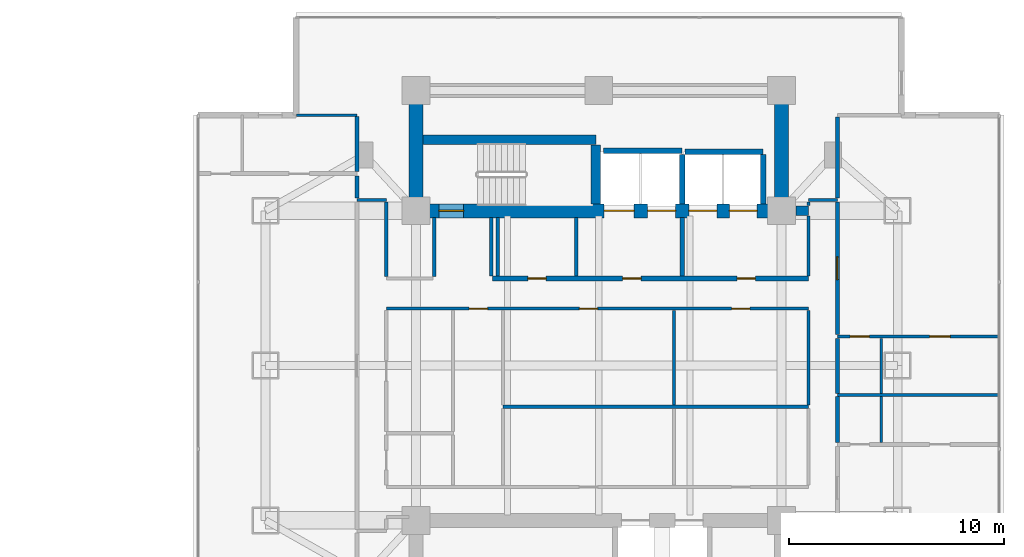
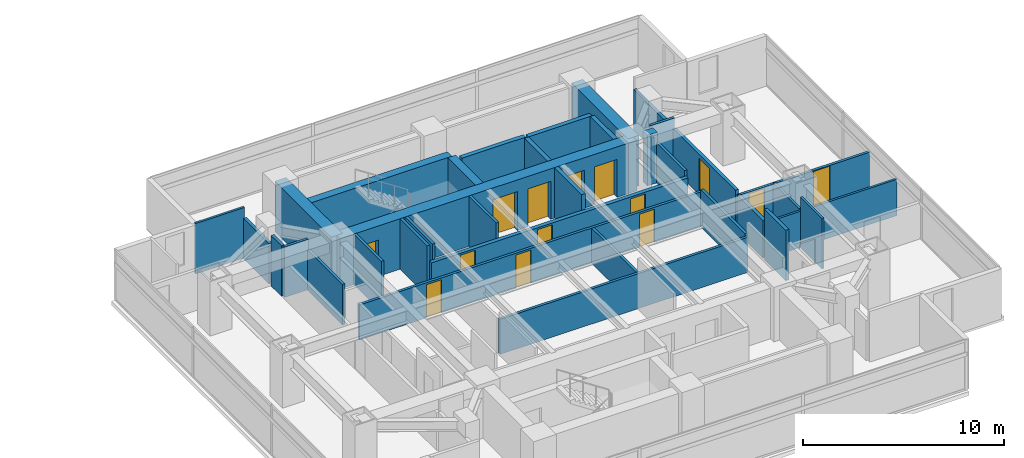
# One storey, part 18 of 24: 36 walls, 14 doors, 14 openings.
"""IFC4 building model written with IfcOpenShell, lengths in metres."""

from ifc_helpers import new_model, si_unit, direction, frame, frame_2d, origin, place, context, subcontext, project, spatial, rectangle, extrude, material, layer, layer_set, type_object, element, fill, save


model = new_model("IFC4")

# Units and contexts
model_context = context("Model", 3, precision=1e-05, world=origin(), true_north=direction((0.0, 1.0)))
body_context = subcontext(model_context, "Body", "Model", "MODEL_VIEW")
ifc_project = project(units=[si_unit("LENGTHUNIT", "METRE"), si_unit("AREAUNIT", "SQUARE_METRE"), si_unit("VOLUMEUNIT", "CUBIC_METRE"), si_unit("PLANEANGLEUNIT", "RADIAN"), si_unit("MASSUNIT", "GRAM", prefix="KILO")], contexts=[model_context])

# Site, building, storey
site_placement = place(None, origin())
site = spatial("IfcSite", under=ifc_project, at=site_placement, CompositionType="ELEMENT")
building_placement = place(site_placement, origin())
building = spatial("IfcBuilding", under=site, at=building_placement, Name="Mirazonda Arch Towers", CompositionType="ELEMENT")
storey_placement = place(building_placement, frame((0.0, 0.0, 68.60009765625)))
storey = spatial("IfcBuildingStorey", under=building, at=storey_placement, Name="L19", CompositionType="ELEMENT", Elevation=68.60009765625)

# Walls
ifc_material_1 = material(Name="Concrete C50/60", Category="concrete")
ifc_layer_1 = layer(ifc_material_1, 0.449951171875, Name="WALL-CORE-450")
ifc_layer_set_1 = layer_set([ifc_layer_1], Name="Concrete C50/60")
wall_type_1 = type_object("IfcWallType", Name="WALL-CORE-450", PredefinedType="SHEAR", material=ifc_layer_set_1)
wall_1_placement = place(storey_placement, frame((85.6650390625, 35.199951171875, 0.0), z_axis=(0.0, 0.0, 1.0), x_axis=(1.0, 0.0, 0.0)))
element("IfcWall", 1, at=wall_1_placement, inside=storey, type_object=wall_type_1, Name="L19 Stair Core Shear Wall 042", PredefinedType="SHEAR", context=body_context, shape_type="SweptSolid", body=[
    extrude(rectangle(XDim=0.5849609375, YDim=0.449951171875, at=frame_2d((0.29248046875, 0.0))), origin(), (0.0, 0.0, 1.0), 3.059814453125),
])
wall_2_placement = place(storey_placement, frame((68.320068359375, 38.5, 0.0), z_axis=(0.0, 0.0, 1.0), x_axis=(1.0, 0.0, 0.0)))
element("IfcWall", 2, at=wall_2_placement, inside=storey, type_object=wall_type_1, Name="L19 Stair Core Shear Wall 049", PredefinedType="SHEAR", context=body_context, shape_type="SweptSolid", body=[
    extrude(rectangle(XDim=8.0400390625, YDim=0.449951171875, at=frame_2d((4.02001953125, 0.0))), origin(), (0.0, 0.0, 1.0), 3.059814453125),
])
wall_3_placement = place(storey_placement, frame((76.360107421875, 35.52001953125, 0.0), z_axis=(0.0, 0.0, 1.0), x_axis=(0.0, 1.0, 0.0)))
element("IfcWall", 3, at=wall_3_placement, inside=storey, type_object=wall_type_1, Name="L19 Stair Core Shear Wall 137", PredefinedType="SHEAR", context=body_context, shape_type="SweptSolid", body=[
    extrude(rectangle(XDim=2.744873046875, YDim=0.449951171875, at=frame_2d((1.37255859375, 0.0))), origin(), (0.0, 0.0, 1.0), 3.059814453125),
])
ifc_material_2 = material(Name="Concrete C60/75", Category="concrete")
ifc_layer_2 = layer(ifc_material_2, 0.64990234375, Name="WALL-CORE-650")
ifc_layer_set_2 = layer_set([ifc_layer_2], Name="Concrete C60/75")
wall_type_2 = type_object("IfcWallType", Name="WALL-CORE-650", PredefinedType="SHEAR", material=ifc_layer_set_2)
for number, where, z_axis, x_axis, name in (
    (4, (68.0, 35.199951171875, 0.0), (0.0, 0.0, 1.0), (0.0, 1.0, 0.0), "L19 T2N-W Core Shear Wall"),
    (5, (85.0, 35.199951171875, 0.0), (0.0, 0.0, 1.0), (0.0, 1.0, 0.0), "L19 T2N-E Core Shear Wall"),
):
    element("IfcWall", number, at=place(storey_placement, frame(where, z_axis=z_axis, x_axis=x_axis)), inside=storey, type_object=wall_type_2, Name=name, PredefinedType="SHEAR", context=body_context, shape_type="SweptSolid", body=[
        extrude(rectangle(XDim=5.60009765625, YDim=0.64990234375, at=frame_2d((2.800048828125, 0.0))), origin(), (0.0, 0.0, 1.0), 3.059814453125),
    ])

# Wall, openings, doors
wall_4_placement = place(storey_placement, frame((68.0, 35.199951171875, 0.0), z_axis=(0.0, 0.0, 1.0), x_axis=(1.0, 0.0, 0.0)))
wall_4 = element("IfcWall", 6, at=wall_4_placement, inside=storey, type_object=wall_type_2, Name="L19 T2N-S Core Shear Wall", PredefinedType="SHEAR", context=body_context, shape_type="SweptSolid", body=[
    extrude(rectangle(XDim=17.0, YDim=0.64990234375, at=frame_2d((8.5, 0.0))), origin(), (0.0, 0.0, 1.0), 3.059814453125),
])
opening_1_placement = place(wall_4_placement, frame((1.06005859375, 0.0, 0.0)))
opening_1 = element("IfcOpeningElement", 7, at=opening_1_placement, cuts=wall_4, Name="Opening DR-135", PredefinedType="OPENING", context=body_context, shape_type="SweptSolid", body=[
    extrude(rectangle(XDim=1.14990234375, YDim=2.199951171875, at=frame_2d((0.574951171875, 1.10009765625))), frame((0.0, 0.3349609375, 0.0), z_axis=(0.0, -1.0, 0.0), x_axis=(1.0, 0.0, 0.0)), (0.0, 0.0, 1.0), 0.669921875),
])
opening_2_placement = place(wall_4_placement, frame((8.75, 0.0, 0.0)))
opening_2 = element("IfcOpeningElement", 8, at=opening_2_placement, cuts=wall_4, Name="Opening LD-112", PredefinedType="OPENING", context=body_context, shape_type="SweptSolid", body=[
    extrude(rectangle(XDim=1.39990234375, YDim=2.35009765625, at=frame_2d((0.699951171875, 1.175048828125))), frame((0.0, 0.3349609375, 0.0), z_axis=(0.0, -1.0, 0.0), x_axis=(1.0, 0.0, 0.0)), (0.0, 0.0, 1.0), 0.669921875),
])
opening_3_placement = place(wall_4_placement, frame((10.77001953125, 0.0, 0.0)))
opening_3 = element("IfcOpeningElement", 9, at=opening_3_placement, cuts=wall_4, Name="Opening LD-111", PredefinedType="OPENING", context=body_context, shape_type="SweptSolid", body=[
    extrude(rectangle(XDim=1.300048828125, YDim=2.300048828125, at=frame_2d((0.64990234375, 1.14990234375))), frame((0.0, 0.3349609375, 0.0), z_axis=(0.0, -1.0, 0.0), x_axis=(1.0, 0.0, 0.0)), (0.0, 0.0, 1.0), 0.669921875),
])
opening_4_placement = place(wall_4_placement, frame((12.68994140625, 0.0, 0.0)))
opening_4 = element("IfcOpeningElement", 10, at=opening_4_placement, cuts=wall_4, Name="Opening LD-111", PredefinedType="OPENING", context=body_context, shape_type="SweptSolid", body=[
    extrude(rectangle(XDim=1.300048828125, YDim=2.300048828125, at=frame_2d((0.64990234375, 1.14990234375))), frame((0.0, 0.3349609375, 0.0), z_axis=(0.0, -1.0, 0.0), x_axis=(1.0, 0.0, 0.0)), (0.0, 0.0, 1.0), 0.669921875),
])
opening_5_placement = place(wall_4_placement, frame((14.570068359375, 0.0, 0.0)))
opening_5 = element("IfcOpeningElement", 11, at=opening_5_placement, cuts=wall_4, Name="Opening LD-111", PredefinedType="OPENING", context=body_context, shape_type="SweptSolid", body=[
    extrude(rectangle(XDim=1.300048828125, YDim=2.300048828125, at=frame_2d((0.64990234375, 1.14990234375))), frame((0.0, 0.3349609375, 0.0), z_axis=(0.0, -1.0, 0.0), x_axis=(1.0, 0.0, 0.0)), (0.0, 0.0, 1.0), 0.669921875),
])
ifc_material_3 = material(Name="Architectural Brushed Steel S355", Category="steel")
door_type_1 = type_object("IfcDoorType", Name="DOOR-LIFT-FFL-1400", OperationType="NOTDEFINED", PredefinedType="DOOR", material=ifc_material_3)
door_1_placement = place(opening_2_placement, origin())
door_1 = element("IfcDoor", 12, at=door_1_placement, inside=storey, type_object=door_type_1, Name="L19 Lift Landing Sliding Door FFL-T2", OperationType="DOUBLE_DOOR_SLIDING", OverallHeight=2.35009765625, OverallWidth=1.39990234375, PredefinedType="DOOR", context=body_context, shape_type="SweptSolid", body=[
    extrude(rectangle(XDim=1.39990234375, YDim=2.35009765625, at=frame_2d((0.699951171875, 1.175048828125))), frame((0.0, 0.02490234375, 0.0), z_axis=(0.0, -1.0, 0.0), x_axis=(1.0, 0.0, 0.0)), (0.0, 0.0, 1.0), 0.050048828125),
])
fill(opening_2, door_1)
door_type_2 = type_object("IfcDoorType", Name="DOOR-LIFT-LAND-1300", OperationType="NOTDEFINED", PredefinedType="DOOR", material=ifc_material_3)
door_2_placement = place(opening_3_placement, origin())
door_2 = element("IfcDoor", 13, at=door_2_placement, inside=storey, type_object=door_type_2, Name="L19 Lift Landing Sliding Door SVL-T2", OperationType="DOUBLE_DOOR_SLIDING", OverallHeight=2.300048828125, OverallWidth=1.300048828125, PredefinedType="DOOR", context=body_context, shape_type="SweptSolid", body=[
    extrude(rectangle(XDim=1.300048828125, YDim=2.300048828125, at=frame_2d((0.64990234375, 1.14990234375))), frame((0.0, 0.02490234375, 0.0), z_axis=(0.0, -1.0, 0.0), x_axis=(1.0, 0.0, 0.0)), (0.0, 0.0, 1.0), 0.050048828125),
])
fill(opening_3, door_2)
door_3_placement = place(opening_4_placement, origin())
door_3 = element("IfcDoor", 14, at=door_3_placement, inside=storey, type_object=door_type_2, Name="L19 Lift Landing Sliding Door PL-T2L1", OperationType="DOUBLE_DOOR_SLIDING", OverallHeight=2.300048828125, OverallWidth=1.300048828125, PredefinedType="DOOR", context=body_context, shape_type="SweptSolid", body=[
    extrude(rectangle(XDim=1.300048828125, YDim=2.300048828125, at=frame_2d((0.64990234375, 1.14990234375))), frame((0.0, 0.02490234375, 0.0), z_axis=(0.0, -1.0, 0.0), x_axis=(1.0, 0.0, 0.0)), (0.0, 0.0, 1.0), 0.050048828125),
])
fill(opening_4, door_3)
door_4_placement = place(opening_5_placement, origin())
door_4 = element("IfcDoor", 15, at=door_4_placement, inside=storey, type_object=door_type_2, Name="L19 Lift Landing Sliding Door PL-T2L2", OperationType="DOUBLE_DOOR_SLIDING", OverallHeight=2.300048828125, OverallWidth=1.300048828125, PredefinedType="DOOR", context=body_context, shape_type="SweptSolid", body=[
    extrude(rectangle(XDim=1.300048828125, YDim=2.300048828125, at=frame_2d((0.64990234375, 1.14990234375))), frame((0.0, 0.02490234375, 0.0), z_axis=(0.0, -1.0, 0.0), x_axis=(1.0, 0.0, 0.0)), (0.0, 0.0, 1.0), 0.050048828125),
])
fill(opening_5, door_4)
door_type_3 = type_object("IfcDoorType", Name="DOOR-STAIR-FD90-1150", OperationType="NOTDEFINED", PredefinedType="DOOR", material=ifc_material_3)
door_5_placement = place(opening_1_placement, origin())
door_5 = element("IfcDoor", 16, at=door_5_placement, inside=storey, type_object=door_type_3, Name="L19 East Protected Stair North Door", OperationType="SINGLE_SWING_LEFT", OverallHeight=2.199951171875, OverallWidth=1.14990234375, PredefinedType="DOOR", context=body_context, shape_type="SweptSolid", body=[
    extrude(rectangle(XDim=1.14990234375, YDim=2.199951171875, at=frame_2d((0.574951171875, 1.10009765625))), frame((0.0, 0.02490234375, 0.0), z_axis=(0.0, -1.0, 0.0), x_axis=(1.0, 0.0, 0.0)), (0.0, 0.0, 1.0), 0.050048828125),
])
fill(opening_1, door_5)

ifc_material_4 = material(Name="Concrete C40/50", Category="concrete")
ifc_layer_3 = layer(ifc_material_4, 0.219970703125, Name="WALL-FFL-220")
ifc_layer_set_3 = layer_set([ifc_layer_3], Name="Concrete C40/50")
wall_type_3 = type_object("IfcWallType", Name="WALL-FFL-220", PredefinedType="SOLIDWALL", material=ifc_layer_set_3)
wall_5_placement = place(storey_placement, frame((71.550048828125, 32.050048828125, 0.0), z_axis=(0.0, 0.0, 1.0), x_axis=(1.0, 0.0, 0.0)))
wall_5 = element("IfcWall", 17, at=wall_5_placement, inside=storey, type_object=wall_type_3, Name="L19 Interior Partition 036", PredefinedType="SOLIDWALL", context=body_context, shape_type="SweptSolid", body=[
    extrude(rectangle(XDim=14.699951171875, YDim=0.219970703125, at=frame_2d((7.35009765625, 0.0))), origin(), (0.0, 0.0, 1.0), 2.125),
])
opening_6_placement = place(wall_5_placement, frame((11.389892578125, 0.0, 0.0)))
opening_6 = element("IfcOpeningElement", 18, at=opening_6_placement, cuts=wall_5, Name="Opening DR-128", PredefinedType="OPENING", context=body_context, shape_type="SweptSolid", body=[
    extrude(rectangle(XDim=0.85009765625, YDim=2.010009765625, at=frame_2d((0.425048828125, 1.0048828125))), frame((0.0, 0.119873046875, 0.0), z_axis=(0.0, -1.0, 0.0), x_axis=(1.0, 0.0, 0.0)), (0.0, 0.0, 1.0), 0.239990234375),
])
opening_7_placement = place(wall_5_placement, frame((6.06494140625, 0.0, 0.0)))
opening_7 = element("IfcOpeningElement", 19, at=opening_7_placement, cuts=wall_5, Name="Opening DR-128", PredefinedType="OPENING", context=body_context, shape_type="SweptSolid", body=[
    extrude(rectangle(XDim=0.85009765625, YDim=2.010009765625, at=frame_2d((0.425048828125, 1.0048828125))), frame((0.0, 0.119873046875, 0.0), z_axis=(0.0, -1.0, 0.0), x_axis=(1.0, 0.0, 0.0)), (0.0, 0.0, 1.0), 0.239990234375),
])
opening_8_placement = place(wall_5_placement, frame((1.64990234375, 0.0, 0.0)))
opening_8 = element("IfcOpeningElement", 20, at=opening_8_placement, cuts=wall_5, Name="Opening DR-128", PredefinedType="OPENING", context=body_context, shape_type="SweptSolid", body=[
    extrude(rectangle(XDim=0.85009765625, YDim=2.010009765625, at=frame_2d((0.425048828125, 1.0048828125))), frame((0.0, 0.119873046875, 0.0), z_axis=(0.0, -1.0, 0.0), x_axis=(1.0, 0.0, 0.0)), (0.0, 0.0, 1.0), 0.239990234375),
])
door_type_4 = type_object("IfcDoorType", Name="DOOR-RISER-FD60-850", OperationType="NOTDEFINED", PredefinedType="DOOR", material=ifc_material_3)
door_6_placement = place(opening_6_placement, origin())
door_6 = element("IfcDoor", 21, at=door_6_placement, inside=storey, type_object=door_type_4, Name="L19 East Passenger Lift Lobby Door", OperationType="SINGLE_SWING_RIGHT", OverallHeight=2.010009765625, OverallWidth=0.85009765625, PredefinedType="DOOR", context=body_context, shape_type="SweptSolid", body=[
    extrude(rectangle(XDim=0.85009765625, YDim=2.010009765625, at=frame_2d((0.425048828125, 1.0048828125))), frame((0.0, 0.02490234375, 0.0), z_axis=(0.0, -1.0, 0.0), x_axis=(1.0, 0.0, 0.0)), (0.0, 0.0, 1.0), 0.050048828125),
])
fill(opening_6, door_6)
door_7_placement = place(opening_7_placement, origin())
door_7 = element("IfcDoor", 22, at=door_7_placement, inside=storey, type_object=door_type_4, Name="L19 East Firefighting Lift Lobby Door", OperationType="SINGLE_SWING_RIGHT", OverallHeight=2.010009765625, OverallWidth=0.85009765625, PredefinedType="DOOR", context=body_context, shape_type="SweptSolid", body=[
    extrude(rectangle(XDim=0.85009765625, YDim=2.010009765625, at=frame_2d((0.425048828125, 1.0048828125))), frame((0.0, 0.02490234375, 0.0), z_axis=(0.0, -1.0, 0.0), x_axis=(1.0, 0.0, 0.0)), (0.0, 0.0, 1.0), 0.050048828125),
])
fill(opening_7, door_7)
door_8_placement = place(opening_8_placement, origin())
door_8 = element("IfcDoor", 23, at=door_8_placement, inside=storey, type_object=door_type_4, Name="L19 Tower 2 Housekeeping & Linen Room Door", OperationType="SINGLE_SWING_LEFT", OverallHeight=2.010009765625, OverallWidth=0.85009765625, PredefinedType="DOOR", context=body_context, shape_type="SweptSolid", body=[
    extrude(rectangle(XDim=0.85009765625, YDim=2.010009765625, at=frame_2d((0.425048828125, 1.0048828125))), frame((0.0, 0.02490234375, 0.0), z_axis=(0.0, -1.0, 0.0), x_axis=(1.0, 0.0, 0.0)), (0.0, 0.0, 1.0), 0.050048828125),
])
fill(opening_8, door_8)

# Walls
wall_6_placement = place(storey_placement, frame((80.3798828125, 32.169921875, 0.0), z_axis=(0.0, 0.0, 1.0), x_axis=(0.0, 1.0, 0.0)))
element("IfcWall", 24, at=wall_6_placement, inside=storey, type_object=wall_type_3, Name="L19 Interior Partition 141", PredefinedType="SOLIDWALL", context=body_context, shape_type="SweptSolid", body=[
    extrude(rectangle(XDim=2.7099609375, YDim=0.219970703125, at=frame_2d((1.35498046875, 0.0))), origin(), (0.0, 0.0, 1.0), 3.059814453125),
])
ifc_material_5 = material(Name="Fire-Rated Gypsum Stud Partition")
ifc_layer_4 = layer(ifc_material_5, 0.14990234375, Name="WALL-PART-CORR-150")
ifc_layer_set_4 = layer_set([ifc_layer_4], Name="Fire-Rated Gypsum Stud Partition")
wall_type_4 = type_object("IfcWallType", Name="WALL-PART-CORR-150", PredefinedType="PARTITIONING", material=ifc_layer_set_4)
wall_7_placement = place(storey_placement, frame((72.050048828125, 26.0849609375, 0.0), z_axis=(0.0, 0.0, 1.0), x_axis=(1.0, 0.0, 0.0)))
element("IfcWall", 25, at=wall_7_placement, inside=storey, type_object=wall_type_4, Name="L19 Interior Partition 028", PredefinedType="PARTITIONING", context=body_context, shape_type="SweptSolid", body=[
    extrude(rectangle(XDim=14.199951171875, YDim=0.14990234375, at=frame_2d((7.10009765625, 0.0))), origin(), (0.0, 0.0, 1.0), 2.125),
])

# Wall, openings, doors
wall_8_placement = place(storey_placement, frame((87.60009765625, 29.35205078125, 0.0), z_axis=(0.0, 0.0, 1.0), x_axis=(1.0, 0.0, 0.0)))
wall_8 = element("IfcWall", 26, at=wall_8_placement, inside=storey, type_object=wall_type_4, Name="L19 Interior Partition 032", PredefinedType="PARTITIONING", context=body_context, shape_type="SweptSolid", body=[
    extrude(rectangle(XDim=7.52978515625, YDim=0.14990234375, at=frame_2d((3.764892578125, 0.0))), origin(), (0.0, 0.0, 1.0), 2.19580078125),
])
opening_9_placement = place(wall_8_placement, frame((4.2900390625, 0.0, 0.0)))
opening_9 = element("IfcOpeningElement", 27, at=opening_9_placement, cuts=wall_8, Name="Opening DR-104", PredefinedType="OPENING", context=body_context, shape_type="SweptSolid", body=[
    extrude(rectangle(XDim=0.949951171875, YDim=2.14990234375, at=frame_2d((0.47509765625, 1.074951171875))), frame((0.0, 0.0849609375, 0.0), z_axis=(0.0, -1.0, 0.0), x_axis=(1.0, 0.0, 0.0)), (0.0, 0.0, 1.0), 0.169921875),
])
opening_10_placement = place(wall_8_placement, frame((0.590087890625, 0.0, 0.0)))
opening_10 = element("IfcOpeningElement", 28, at=opening_10_placement, cuts=wall_8, Name="Opening DR-120", PredefinedType="OPENING", context=body_context, shape_type="SweptSolid", body=[
    extrude(rectangle(XDim=0.89990234375, YDim=2.10009765625, at=frame_2d((0.449951171875, 1.050048828125))), frame((0.0, 0.0849609375, 0.0), z_axis=(0.0, -1.0, 0.0), x_axis=(1.0, 0.0, 0.0)), (0.0, 0.0, 1.0), 0.169921875),
])
door_type_5 = type_object("IfcDoorType", Name="DOOR-ROOM-950", OperationType="NOTDEFINED", PredefinedType="DOOR", material=ifc_material_3)
door_9_placement = place(opening_9_placement, origin())
door_9 = element("IfcDoor", 29, at=door_9_placement, inside=storey, type_object=door_type_5, Name="L19 Suite Bedroom 2 Door", OperationType="SINGLE_SWING_LEFT", OverallHeight=2.14990234375, OverallWidth=0.949951171875, PredefinedType="DOOR", context=body_context, shape_type="SweptSolid", body=[
    extrude(rectangle(XDim=0.949951171875, YDim=2.14990234375, at=frame_2d((0.47509765625, 1.074951171875))), frame((0.0, 0.02490234375, 0.0), z_axis=(0.0, -1.0, 0.0), x_axis=(1.0, 0.0, 0.0)), (0.0, 0.0, 1.0), 0.050048828125),
])
fill(opening_9, door_9)
door_type_6 = type_object("IfcDoorType", Name="DOOR-WC-900", OperationType="NOTDEFINED", PredefinedType="DOOR", material=ifc_material_3)
door_10_placement = place(opening_10_placement, origin())
door_10 = element("IfcDoor", 30, at=door_10_placement, inside=storey, type_object=door_type_6, Name="L19 Suite En-Suite Bathroom 2 Door", OperationType="SINGLE_SWING_RIGHT", OverallHeight=2.10009765625, OverallWidth=0.89990234375, PredefinedType="DOOR", context=body_context, shape_type="SweptSolid", body=[
    extrude(rectangle(XDim=0.89990234375, YDim=2.10009765625, at=frame_2d((0.449951171875, 1.050048828125))), frame((0.0, 0.02490234375, 0.0), z_axis=(0.0, -1.0, 0.0), x_axis=(1.0, 0.0, 0.0)), (0.0, 0.0, 1.0), 0.050048828125),
])
fill(opening_10, door_10)

wall_9_placement = place(storey_placement, frame((66.6201171875, 30.64990234375, 0.0), z_axis=(0.0, 0.0, 1.0), x_axis=(1.0, 0.0, 0.0)))
wall_9 = element("IfcWall", 31, at=wall_9_placement, inside=storey, type_object=wall_type_4, Name="L19 Interior Partition 034", PredefinedType="PARTITIONING", context=body_context, shape_type="SweptSolid", body=[
    extrude(rectangle(XDim=19.6298828125, YDim=0.14990234375, at=frame_2d((9.81494140625, 0.0))), origin(), (0.0, 0.0, 1.0), 2.125),
])
opening_11_placement = place(wall_9_placement, frame((3.85498046875, 0.0, 0.0)))
opening_11 = element("IfcOpeningElement", 32, at=opening_11_placement, cuts=wall_9, Name="Opening DR-128", PredefinedType="OPENING", context=body_context, shape_type="SweptSolid", body=[
    extrude(rectangle(XDim=0.85009765625, YDim=2.010009765625, at=frame_2d((0.425048828125, 1.0048828125))), frame((0.0, 0.0849609375, 0.0), z_axis=(0.0, -1.0, 0.0), x_axis=(1.0, 0.0, 0.0)), (0.0, 0.0, 1.0), 0.169921875),
])
opening_12_placement = place(wall_9_placement, frame((8.98095703125, 0.0, 0.0)))
opening_12 = element("IfcOpeningElement", 33, at=opening_12_placement, cuts=wall_9, Name="Opening DR-128", PredefinedType="OPENING", context=body_context, shape_type="SweptSolid", body=[
    extrude(rectangle(XDim=0.85009765625, YDim=2.010009765625, at=frame_2d((0.425048828125, 1.0048828125))), frame((0.0, 0.0849609375, 0.0), z_axis=(0.0, -1.0, 0.0), x_axis=(1.0, 0.0, 0.0)), (0.0, 0.0, 1.0), 0.169921875),
])
opening_13_placement = place(wall_9_placement, frame((16.06103515625, 0.0, 0.0)))
opening_13 = element("IfcOpeningElement", 34, at=opening_13_placement, cuts=wall_9, Name="Opening DR-128", PredefinedType="OPENING", context=body_context, shape_type="SweptSolid", body=[
    extrude(rectangle(XDim=0.85009765625, YDim=2.010009765625, at=frame_2d((0.425048828125, 1.0048828125))), frame((0.0, 0.0849609375, 0.0), z_axis=(0.0, -1.0, 0.0), x_axis=(1.0, 0.0, 0.0)), (0.0, 0.0, 1.0), 0.169921875),
])
door_11_placement = place(opening_11_placement, origin())
door_11 = element("IfcDoor", 35, at=door_11_placement, inside=storey, type_object=door_type_4, Name="L19 L19 East Courtyard Study Door", OperationType="SINGLE_SWING_RIGHT", OverallHeight=2.010009765625, OverallWidth=0.85009765625, PredefinedType="DOOR", context=body_context, shape_type="SweptSolid", body=[
    extrude(rectangle(XDim=0.85009765625, YDim=2.010009765625, at=frame_2d((0.425048828125, 1.0048828125))), frame((0.0, 0.02490234375, 0.0), z_axis=(0.0, -1.0, 0.0), x_axis=(1.0, 0.0, 0.0)), (0.0, 0.0, 1.0), 0.050048828125),
])
fill(opening_11, door_11)
door_12_placement = place(opening_12_placement, origin())
door_12 = element("IfcDoor", 36, at=door_12_placement, inside=storey, type_object=door_type_4, Name="L19 Concierge Salon Door", OperationType="SINGLE_SWING_LEFT", OverallHeight=2.010009765625, OverallWidth=0.85009765625, PredefinedType="DOOR", context=body_context, shape_type="SweptSolid", body=[
    extrude(rectangle(XDim=0.85009765625, YDim=2.010009765625, at=frame_2d((0.425048828125, 1.0048828125))), frame((0.0, 0.02490234375, 0.0), z_axis=(0.0, -1.0, 0.0), x_axis=(1.0, 0.0, 0.0)), (0.0, 0.0, 1.0), 0.050048828125),
])
fill(opening_12, door_12)
door_13_placement = place(opening_13_placement, origin())
door_13 = element("IfcDoor", 37, at=door_13_placement, inside=storey, type_object=door_type_4, Name="L19 Private Meeting Suite Door", OperationType="SINGLE_SWING_RIGHT", OverallHeight=2.010009765625, OverallWidth=0.85009765625, PredefinedType="DOOR", context=body_context, shape_type="SweptSolid", body=[
    extrude(rectangle(XDim=0.85009765625, YDim=2.010009765625, at=frame_2d((0.425048828125, 1.0048828125))), frame((0.0, 0.02490234375, 0.0), z_axis=(0.0, -1.0, 0.0), x_axis=(1.0, 0.0, 0.0)), (0.0, 0.0, 1.0), 0.050048828125),
])
fill(opening_13, door_13)

# Walls
wall_10_placement = place(storey_placement, frame((65.25, 35.699951171875, 0.0), z_axis=(0.0, 0.0, 1.0), x_axis=(1.0, 0.0, 0.0)))
element("IfcWall", 38, at=wall_10_placement, inside=storey, type_object=wall_type_4, Name="L19 Interior Partition 043", PredefinedType="PARTITIONING", context=body_context, shape_type="SweptSolid", body=[
    extrude(rectangle(XDim=1.3701171875, YDim=0.14990234375, at=frame_2d((0.68505859375, 0.0))), origin(), (0.0, 0.0, 1.0), 3.059814453125),
])
wall_11_placement = place(storey_placement, frame((86.25, 35.699951171875, 0.0), z_axis=(0.0, 0.0, 1.0), x_axis=(1.0, 0.0, 0.0)))
element("IfcWall", 39, at=wall_11_placement, inside=storey, type_object=wall_type_4, Name="L19 Interior Partition 044", PredefinedType="PARTITIONING", context=body_context, shape_type="SweptSolid", body=[
    extrude(rectangle(XDim=1.35009765625, YDim=0.14990234375, at=frame_2d((0.675048828125, 0.0))), origin(), (0.0, 0.0, 1.0), 3.059814453125),
])
wall_12_placement = place(storey_placement, frame((66.6201171875, 32.135009765625, 0.0), z_axis=(0.0, 0.0, 1.0), x_axis=(0.0, 1.0, 0.0)))
element("IfcWall", 40, at=wall_12_placement, inside=storey, type_object=wall_type_4, Name="L19 Interior Partition 127", PredefinedType="PARTITIONING", context=body_context, shape_type="SweptSolid", body=[
    extrude(rectangle(XDim=3.47998046875, YDim=0.14990234375, at=frame_2d((1.739990234375, 0.0))), origin(), (0.0, 0.0, 1.0), 2.451904296875),
])
wall_13_placement = place(storey_placement, frame((68.85009765625, 32.135009765625, 0.0), z_axis=(0.0, 0.0, 1.0), x_axis=(0.0, 1.0, 0.0)))
element("IfcWall", 41, at=wall_13_placement, inside=storey, type_object=wall_type_4, Name="L19 Interior Partition 128", PredefinedType="PARTITIONING", context=body_context, shape_type="SweptSolid", body=[
    extrude(rectangle(XDim=2.744873046875, YDim=0.14990234375, at=frame_2d((1.37255859375, 0.0))), origin(), (0.0, 0.0, 1.0), 3.059814453125),
])
for number, where, z_axis, x_axis, name in (
    (42, (71.5, 32.169921875, 0.0), (0.0, 0.0, 1.0), (0.0, 1.0, 0.0), "L19 Interior Partition 131"),
    (43, (71.800048828125, 32.169921875, 0.0), (0.0, 0.0, 1.0), (0.0, 1.0, 0.0), "L19 Interior Partition 132"),
    (44, (75.449951171875, 32.169921875, 0.0), (0.0, 0.0, 1.0), (0.0, 1.0, 0.0), "L19 Interior Partition 135"),
):
    element("IfcWall", number, at=place(storey_placement, frame(where, z_axis=z_axis, x_axis=x_axis)), inside=storey, type_object=wall_type_4, Name=name, PredefinedType="PARTITIONING", context=body_context, shape_type="SweptSolid", body=[
        extrude(rectangle(XDim=2.7099609375, YDim=0.14990234375, at=frame_2d((1.35498046875, 0.0))), origin(), (0.0, 0.0, 1.0), 3.059814453125),
    ])
wall_14_placement = place(storey_placement, frame((80.001953125, 26.169921875, 0.0), z_axis=(0.0, 0.0, 1.0), x_axis=(0.0, 1.0, 0.0)))
element("IfcWall", 45, at=wall_14_placement, inside=storey, type_object=wall_type_4, Name="L19 Interior Partition 140", PredefinedType="PARTITIONING", context=body_context, shape_type="SweptSolid", body=[
    extrude(rectangle(XDim=4.39501953125, YDim=0.14990234375, at=frame_2d((2.197509765625, 0.0))), origin(), (0.0, 0.0, 1.0), 2.125),
])
wall_15_placement = place(storey_placement, frame((86.25, 26.169921875, 0.0), z_axis=(0.0, 0.0, 1.0), x_axis=(0.0, 1.0, 0.0)))
element("IfcWall", 46, at=wall_15_placement, inside=storey, type_object=wall_type_4, Name="L19 Interior Partition 147", PredefinedType="PARTITIONING", context=body_context, shape_type="SweptSolid", body=[
    extrude(rectangle(XDim=4.39501953125, YDim=0.14990234375, at=frame_2d((2.197509765625, 0.0))), origin(), (0.0, 0.0, 1.0), 2.27880859375),
])
wall_16_placement = place(storey_placement, frame((86.25, 32.169921875, 0.0), z_axis=(0.0, 0.0, 1.0), x_axis=(0.0, 1.0, 0.0)))
element("IfcWall", 47, at=wall_16_placement, inside=storey, type_object=wall_type_4, Name="L19 Interior Partition 148", PredefinedType="PARTITIONING", context=body_context, shape_type="SweptSolid", body=[
    extrude(rectangle(XDim=2.795166015625, YDim=0.14990234375, at=frame_2d((1.3974609375, 0.0))), origin(), (0.0, 0.0, 1.0), 2.451904296875),
])
wall_17_placement = place(storey_placement, frame((86.25, 35.43505859375, 0.0), z_axis=(0.0, 0.0, 1.0), x_axis=(0.0, 1.0, 0.0)))
element("IfcWall", 48, at=wall_17_placement, inside=storey, type_object=wall_type_4, Name="L19 Interior Partition 149", PredefinedType="PARTITIONING", context=body_context, shape_type="SweptSolid", body=[
    extrude(rectangle(XDim=0.179931640625, YDim=0.14990234375, at=frame_2d((0.08984375, 0.0))), origin(), (0.0, 0.0, 1.0), 2.451904296875),
])
ifc_material_6 = material(Name="Fire-Rated Gypsum Twin-Stud Assembly")
ifc_layer_5 = layer(ifc_material_6, 0.179931640625, Name="WALL-PART-DEMISE-180")
ifc_layer_set_5 = layer_set([ifc_layer_5], Name="Fire-Rated Gypsum Twin-Stud Assembly")
wall_type_5 = type_object("IfcWallType", Name="WALL-PART-DEMISE-180", PredefinedType="PARTITIONING", material=ifc_layer_set_5)
wall_18_placement = place(storey_placement, frame((65.25, 35.784912109375, 0.0), z_axis=(0.0, 0.0, 1.0), x_axis=(0.0, 1.0, 0.0)))
element("IfcWall", 49, at=wall_18_placement, inside=storey, type_object=wall_type_5, Name="L19 Interior Partition 122", PredefinedType="PARTITIONING", context=body_context, shape_type="SweptSolid", body=[
    extrude(rectangle(XDim=1.0419921875, YDim=0.179931640625, at=frame_2d((0.52099609375, 0.0))), origin(), (0.0, 0.0, 1.0), 3.059814453125),
])
wall_19_placement = place(storey_placement, frame((65.25, 37.027099609375, 0.0), z_axis=(0.0, 0.0, 1.0), x_axis=(0.0, 1.0, 0.0)))
element("IfcWall", 50, at=wall_19_placement, inside=storey, type_object=wall_type_5, Name="L19 Interior Partition 123", PredefinedType="PARTITIONING", context=body_context, shape_type="SweptSolid", body=[
    extrude(rectangle(XDim=2.54736328125, YDim=0.179931640625, at=frame_2d((1.273681640625, 0.0))), origin(), (0.0, 0.0, 1.0), 2.435791015625),
])
wall_20_placement = place(storey_placement, frame((87.60009765625, 24.431884765625, 0.0), z_axis=(0.0, 0.0, 1.0), x_axis=(0.0, 1.0, 0.0)))
element("IfcWall", 51, at=wall_20_placement, inside=storey, type_object=wall_type_5, Name="L19 Interior Partition 152", PredefinedType="PARTITIONING", context=body_context, shape_type="SweptSolid", body=[
    extrude(rectangle(XDim=2.127685546875, YDim=0.179931640625, at=frame_2d((1.06396484375, 0.0))), origin(), (0.0, 0.0, 1.0), 3.059814453125),
])
wall_21_placement = place(storey_placement, frame((87.60009765625, 26.70458984375, 0.0), z_axis=(0.0, 0.0, 1.0), x_axis=(0.0, 1.0, 0.0)))
element("IfcWall", 52, at=wall_21_placement, inside=storey, type_object=wall_type_5, Name="L19 Interior Partition 153", PredefinedType="PARTITIONING", context=body_context, shape_type="SweptSolid", body=[
    extrude(rectangle(XDim=2.5625, YDim=0.179931640625, at=frame_2d((1.28125, 0.0))), origin(), (0.0, 0.0, 1.0), 2.27880859375),
])

# Wall, opening, door
wall_22_placement = place(storey_placement, frame((87.60009765625, 29.43701171875, 0.0), z_axis=(0.0, 0.0, 1.0), x_axis=(0.0, 1.0, 0.0)))
wall_22 = element("IfcWall", 53, at=wall_22_placement, inside=storey, type_object=wall_type_5, Name="L19 Interior Partition 154", PredefinedType="PARTITIONING", context=body_context, shape_type="SweptSolid", body=[
    extrude(rectangle(XDim=6.177978515625, YDim=0.179931640625, at=frame_2d((3.0888671875, 0.0))), origin(), (0.0, 0.0, 1.0), 2.451904296875),
])
opening_14_placement = place(wall_22_placement, frame((2.56396484375, 0.0, 0.0)))
opening_14 = element("IfcOpeningElement", 54, at=opening_14_placement, cuts=wall_22, Name="Opening DR-121", PredefinedType="OPENING", context=body_context, shape_type="SweptSolid", body=[
    extrude(rectangle(XDim=1.050048828125, YDim=2.199951171875, at=frame_2d((0.52490234375, 1.10009765625))), frame((0.0, 0.099853515625, 0.0), z_axis=(0.0, -1.0, 0.0), x_axis=(1.0, 0.0, 0.0)), (0.0, 0.0, 1.0), 0.199951171875),
])
door_type_7 = type_object("IfcDoorType", Name="DOOR-SUITE-FD60-1050", OperationType="NOTDEFINED", PredefinedType="DOOR", material=ifc_material_3)
door_14_placement = place(opening_14_placement, origin())
door_14 = element("IfcDoor", 55, at=door_14_placement, inside=storey, type_object=door_type_7, Name="L19 Presidential Hotel Suite 2 Door", OperationType="SINGLE_SWING_RIGHT", OverallHeight=2.199951171875, OverallWidth=1.050048828125, PredefinedType="DOOR", context=body_context, shape_type="SweptSolid", body=[
    extrude(rectangle(XDim=1.050048828125, YDim=2.199951171875, at=frame_2d((0.52490234375, 1.10009765625))), frame((0.0, 0.02490234375, 0.0), z_axis=(0.0, -1.0, 0.0), x_axis=(1.0, 0.0, 0.0)), (0.0, 0.0, 1.0), 0.050048828125),
])
fill(opening_14, door_14)

# Walls
wall_23_placement = place(storey_placement, frame((87.60009765625, 35.784912109375, 0.0), z_axis=(0.0, 0.0, 1.0), x_axis=(0.0, 1.0, 0.0)))
element("IfcWall", 56, at=wall_23_placement, inside=storey, type_object=wall_type_5, Name="L19 Interior Partition 155", PredefinedType="PARTITIONING", context=body_context, shape_type="SweptSolid", body=[
    extrude(rectangle(XDim=3.777099609375, YDim=0.179931640625, at=frame_2d((1.888671875, 0.0))), origin(), (0.0, 0.0, 1.0), 2.435791015625),
])
ifc_material_7 = material(Name="Acoustic Fire-Rated Gypsum Partition")
ifc_layer_6 = layer(ifc_material_7, 0.125, Name="WALL-PART-UNIT-125")
ifc_layer_set_6 = layer_set([ifc_layer_6], Name="Acoustic Fire-Rated Gypsum Partition")
wall_type_6 = type_object("IfcWallType", Name="WALL-PART-UNIT-125", PredefinedType="PARTITIONING", material=ifc_layer_set_6)
wall_24_placement = place(storey_placement, frame((87.60009765625, 26.632080078125, 0.0), z_axis=(0.0, 0.0, 1.0), x_axis=(1.0, 0.0, 0.0)))
element("IfcWall", 57, at=wall_24_placement, inside=storey, type_object=wall_type_6, Name="L19 Interior Partition 029", PredefinedType="PARTITIONING", context=body_context, shape_type="SweptSolid", body=[
    extrude(rectangle(XDim=7.52978515625, YDim=0.125, at=frame_2d((3.764892578125, 0.0))), origin(), (0.0, 0.0, 1.0), 2.19580078125),
])
wall_25_placement = place(storey_placement, frame((62.43603515625, 39.64697265625, 0.0), z_axis=(0.0, 0.0, 1.0), x_axis=(1.0, 0.0, 0.0)))
element("IfcWall", 58, at=wall_25_placement, inside=storey, type_object=wall_type_6, Name="L19 Interior Partition 050", PredefinedType="PARTITIONING", context=body_context, shape_type="SweptSolid", body=[
    extrude(rectangle(XDim=2.81396484375, YDim=0.125, at=frame_2d((1.406982421875, 0.0))), origin(), (0.0, 0.0, 1.0), 3.059814453125),
])
wall_26_placement = place(storey_placement, frame((89.639892578125, 24.431884765625, 0.0), z_axis=(0.0, 0.0, 1.0), x_axis=(0.0, 1.0, 0.0)))
element("IfcWall", 59, at=wall_26_placement, inside=storey, type_object=wall_type_6, Name="L19 Interior Partition 156", PredefinedType="PARTITIONING", context=body_context, shape_type="SweptSolid", body=[
    extrude(rectangle(XDim=2.127685546875, YDim=0.125, at=frame_2d((1.06396484375, 0.0))), origin(), (0.0, 0.0, 1.0), 3.059814453125),
])
wall_27_placement = place(storey_placement, frame((89.639892578125, 26.70458984375, 0.0), z_axis=(0.0, 0.0, 1.0), x_axis=(0.0, 1.0, 0.0)))
element("IfcWall", 60, at=wall_27_placement, inside=storey, type_object=wall_type_6, Name="L19 Interior Partition 157", PredefinedType="PARTITIONING", context=body_context, shape_type="SweptSolid", body=[
    extrude(rectangle(XDim=2.5625, YDim=0.125, at=frame_2d((1.28125, 0.0))), origin(), (0.0, 0.0, 1.0), 2.27880859375),
])
ifc_layer_7 = layer(ifc_material_4, 0.25, Name="WALL-SHAFT-250")
ifc_layer_set_7 = layer_set([ifc_layer_7], Name="Concrete C40/50")
wall_type_7 = type_object("IfcWallType", Name="WALL-SHAFT-250", PredefinedType="SOLIDWALL", material=ifc_layer_set_7)
wall_28_placement = place(storey_placement, frame((80.5, 37.949951171875, 0.0), z_axis=(0.0, 0.0, 1.0), x_axis=(1.0, 0.0, 0.0)))
element("IfcWall", 61, at=wall_28_placement, inside=storey, type_object=wall_type_7, Name="L19 Interior Partition 047", PredefinedType="SOLIDWALL", context=body_context, shape_type="SweptSolid", body=[
    extrude(rectangle(XDim=3.64990234375, YDim=0.25, at=frame_2d((1.824951171875, 0.0))), origin(), (0.0, 0.0, 1.0), 3.059814453125),
])
wall_29_placement = place(storey_placement, frame((76.719970703125, 38.0, 0.0), z_axis=(0.0, 0.0, 1.0), x_axis=(1.0, 0.0, 0.0)))
element("IfcWall", 62, at=wall_29_placement, inside=storey, type_object=wall_type_7, Name="L19 Interior Partition 048", PredefinedType="SOLIDWALL", context=body_context, shape_type="SweptSolid", body=[
    extrude(rectangle(XDim=3.659912109375, YDim=0.25, at=frame_2d((1.830078125, 0.0))), origin(), (0.0, 0.0, 1.0), 3.059814453125),
])
for number, where, z_axis, x_axis, name in (
    (63, (80.3798828125, 35.52001953125, 0.0), (0.0, 0.0, 1.0), (0.0, 1.0, 0.0), "L19 Interior Partition 142"),
    (64, (84.14990234375, 35.52001953125, 0.0), (0.0, 0.0, 1.0), (0.0, 1.0, 0.0), "L19 Interior Partition 144"),
):
    element("IfcWall", number, at=place(storey_placement, frame(where, z_axis=z_axis, x_axis=x_axis)), inside=storey, type_object=wall_type_7, Name=name, PredefinedType="SOLIDWALL", context=body_context, shape_type="SweptSolid", body=[
        extrude(rectangle(XDim=2.294921875, YDim=0.25, at=frame_2d((1.1474609375, 0.0))), origin(), (0.0, 0.0, 1.0), 3.059814453125),
    ])

save(model, "model.ifc")
